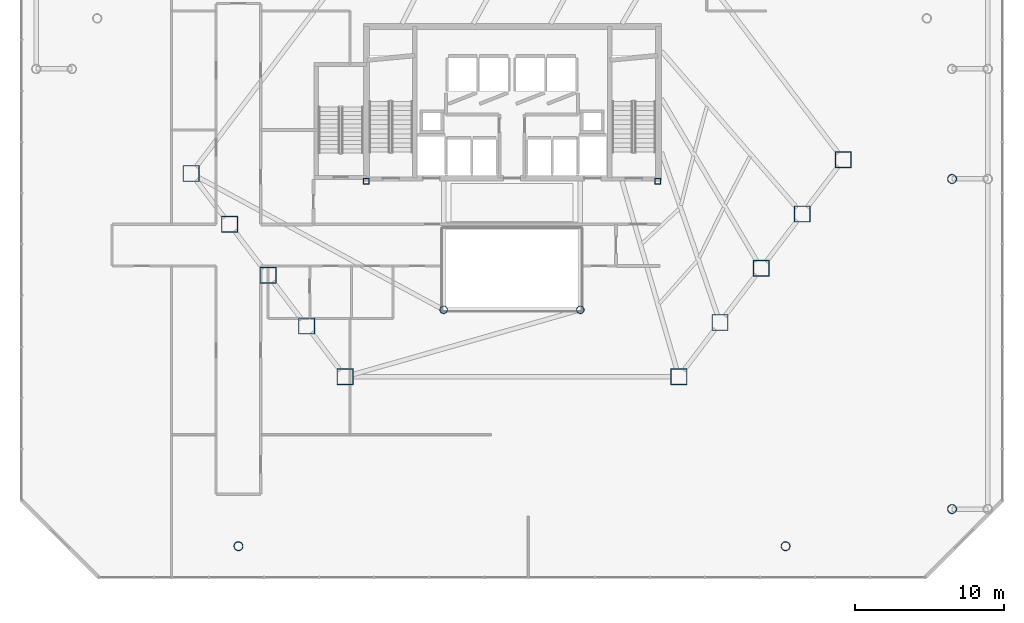
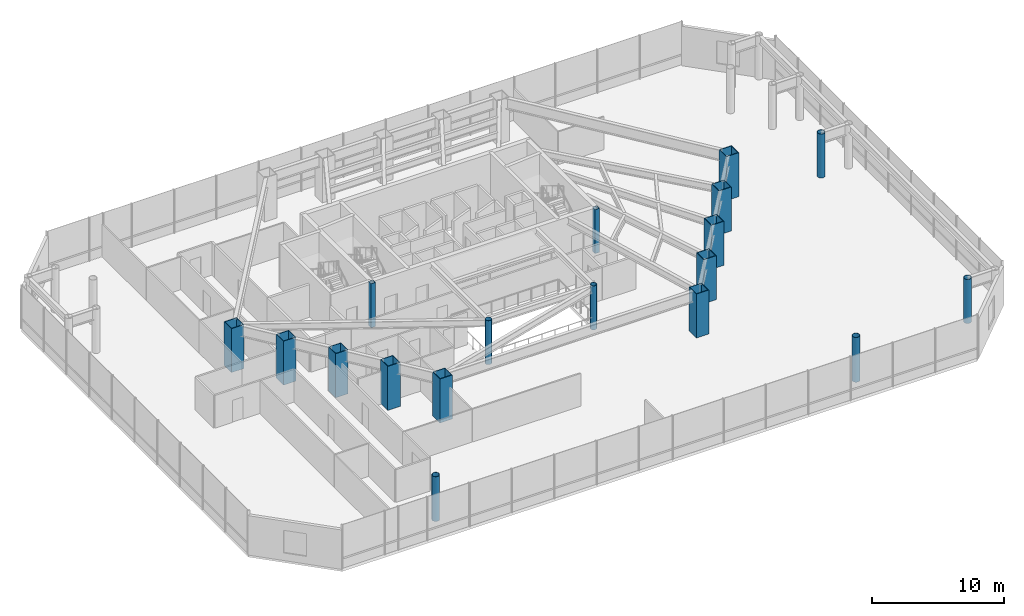
# One storey, part 1 of 33: 18 columns.
"""IFC4 building model written with IfcOpenShell, lengths in metres."""

from ifc_helpers import new_model, si_unit, direction, frame, origin, origin_2d, place, context, subcontext, project, spatial, hollow_rectangle, hollow_circle, extrude, material, material_profile, profile_set, type_object, element, save


model = new_model("IFC4")

# Units and contexts
model_context = context("Model", 3, precision=1e-05, world=origin(), true_north=direction((0.0, 1.0)))
body_context = subcontext(model_context, "Body", "Model", "MODEL_VIEW")
ifc_project = project(units=[si_unit("LENGTHUNIT", "METRE"), si_unit("AREAUNIT", "SQUARE_METRE"), si_unit("VOLUMEUNIT", "CUBIC_METRE"), si_unit("PLANEANGLEUNIT", "RADIAN"), si_unit("MASSUNIT", "GRAM", prefix="KILO")], contexts=[model_context])

# Site, building, storey
site_placement = place(None, origin())
site = spatial("IfcSite", under=ifc_project, at=site_placement, CompositionType="ELEMENT")
building_placement = place(site_placement, origin())
building = spatial("IfcBuilding", under=site, at=building_placement, Name="Zarrinselat Tower", CompositionType="ELEMENT")
storey_placement = place(building_placement, frame((0.0, 0.0, 18.360107421875)))
storey = spatial("IfcBuildingStorey", under=building, at=storey_placement, Name="L04", CompositionType="ELEMENT", Elevation=18.360107421875)

# Columns
ifc_material_1 = material(Name="Steel S355J2", Category="steel")
ifc_material_profile_1 = material_profile(ifc_material_1, hollow_circle(Radius=0.25390625, WallThickness=0.02001953125, at=origin_2d()), Name="CHS 508x20")
ifc_profile_set_1 = profile_set([ifc_material_profile_1], Name="Steel S355J2")
column_type_1 = type_object("IfcColumnType", Name="COL-CHS508", PredefinedType="COLUMN", material=ifc_profile_set_1)
for number, where, z_axis, x_axis, name in (
    (1, (33.800048828125, 24.39990234375, 0.0), (0.0, 0.0, 1.0), (1.0, 0.0, 0.0), "L04 Atrium Corner Column 1"),
    (2, (43.0, 24.39990234375, 0.0), (0.0, 0.0, 1.0), (1.0, 0.0, 0.0), "L04 Atrium Corner Column 2"),
):
    element("IfcColumn", number, at=place(storey_placement, frame(where, z_axis=z_axis, x_axis=x_axis)), inside=storey, type_object=column_type_1, Name=name, PredefinedType="COLUMN", context=body_context, shape_type="SweptSolid", body=[
        extrude(hollow_circle(Radius=0.25390625, WallThickness=0.02001953125, at=origin_2d()), origin(), (0.0, 0.0, 1.0), 4.06982421875),
    ])
ifc_material_2 = material(Name="Steel S355J2", Category="steel")
ifc_material_profile_2 = material_profile(ifc_material_2, hollow_circle(Radius=0.304931640625, WallThickness=0.02490234375, at=origin_2d()), Name="CHS 610x25")
ifc_profile_set_2 = profile_set([ifc_material_profile_2], Name="Steel S355J2")
column_type_2 = type_object("IfcColumnType", Name="COL-CHS610", PredefinedType="COLUMN", material=ifc_profile_set_2)
for number, where, z_axis, x_axis, name in (
    (3, (20.0, 8.5, 0.0), (0.0, 0.0, 1.0), (1.0, 0.0, 0.0), "L04 Garden Deck Support Column 1"),
    (4, (56.800048828125, 8.5, 0.0), (0.0, 0.0, 1.0), (1.0, 0.0, 0.0), "L04 Garden Deck Support Column 2"),
):
    element("IfcColumn", number, at=place(storey_placement, frame(where, z_axis=z_axis, x_axis=x_axis)), inside=storey, type_object=column_type_2, Name=name, PredefinedType="COLUMN", context=body_context, shape_type="SweptSolid", body=[
        extrude(hollow_circle(Radius=0.304931640625, WallThickness=0.02490234375, at=origin_2d()), origin(), (0.0, 0.0, 1.0), 4.139892578125),
    ])
for number, where, z_axis, x_axis, name in (
    (5, (68.0, 11.0, 0.0), (0.0, 0.0, 1.0), (1.0, 0.0, 0.0), "L04 Podium Anchor Column E-11"),
    (6, (68.0, 33.199951171875, 0.0), (0.0, 0.0, 1.0), (1.0, 0.0, 0.0), "L04 Podium Anchor Column E-33"),
):
    element("IfcColumn", number, at=place(storey_placement, frame(where, z_axis=z_axis, x_axis=x_axis)), inside=storey, type_object=column_type_2, Name=name, PredefinedType="COLUMN", context=body_context, shape_type="SweptSolid", body=[
        extrude(hollow_circle(Radius=0.304931640625, WallThickness=0.02490234375, at=origin_2d()), origin(), (0.0, 0.0, 1.0), 4.06982421875),
    ])
ifc_material_3 = material(Name="Steel S460M", Category="steel")
ifc_material_profile_3 = material_profile(ifc_material_3, hollow_rectangle(XDim=1.10009765625, YDim=1.10009765625, WallThickness=0.054931640625, at=origin_2d()), Name="SHS 1100x1100x55")
ifc_profile_set_3 = profile_set([ifc_material_profile_3], Name="Steel S460M")
column_type_3 = type_object("IfcColumnType", Name="COL-SHS1100", PredefinedType="COLUMN", material=ifc_profile_set_3)
for number, where, z_axis, x_axis, name in (
    (7, (16.8154296875, 33.568115234375, 0.0), (0.0, 0.0, 1.0), (1.0, 0.0, 0.0), "L04 Framed-Tube Column T06"),
    (8, (19.40478515625, 30.14990234375, 0.0), (0.0, 0.0, 1.0), (1.0, 0.0, 0.0), "L04 Framed-Tube Column T07"),
    (9, (21.994384765625, 26.73193359375, 0.0), (0.0, 0.0, 1.0), (1.0, 0.0, 0.0), "L04 Framed-Tube Column T08"),
    (10, (24.58349609375, 23.31396484375, 0.0), (0.0, 0.0, 1.0), (1.0, 0.0, 0.0), "L04 Framed-Tube Column T09"),
    (11, (27.173095703125, 19.89599609375, 0.0), (0.0, 0.0, 1.0), (1.0, 0.0, 0.0), "L04 Framed-Tube Column T10"),
    (12, (49.626953125, 19.89599609375, 0.0), (0.0, 0.0, 1.0), (1.0, 0.0, 0.0), "L04 Framed-Tube Column T11"),
    (13, (52.391357421875, 23.544921875, 0.0), (0.0, 0.0, 1.0), (1.0, 0.0, 0.0), "L04 Framed-Tube Column T12"),
    (14, (55.15576171875, 27.194091796875, 0.0), (0.0, 0.0, 1.0), (1.0, 0.0, 0.0), "L04 Framed-Tube Column T13"),
    (15, (57.920166015625, 30.843017578125, 0.0), (0.0, 0.0, 1.0), (1.0, 0.0, 0.0), "L04 Framed-Tube Column T14"),
    (16, (60.6845703125, 34.491943359375, 0.0), (0.0, 0.0, 1.0), (1.0, 0.0, 0.0), "L04 Framed-Tube Column T15"),
):
    element("IfcColumn", number, at=place(storey_placement, frame(where, z_axis=z_axis, x_axis=x_axis)), inside=storey, type_object=column_type_3, Name=name, PredefinedType="COLUMN", context=body_context, shape_type="SweptSolid", body=[
        extrude(hollow_rectangle(XDim=1.10009765625, YDim=1.10009765625, WallThickness=0.054931640625, at=origin_2d()), origin(), (0.0, 0.0, 1.0), 4.06982421875),
    ])
ifc_material_4 = material(Name="Steel S355J2", Category="steel")
ifc_material_profile_4 = material_profile(ifc_material_4, hollow_rectangle(XDim=0.39990234375, YDim=0.39990234375, WallThickness=0.02001953125, at=origin_2d()), Name="SHS 400x400x20")
ifc_profile_set_4 = profile_set([ifc_material_profile_4], Name="Steel S355J2")
column_type_4 = type_object("IfcColumnType", Name="COL-SHS400", PredefinedType="PILASTER", material=ifc_profile_set_4)
for number, where, z_axis, x_axis, name in (
    (17, (28.60009765625, 33.050048828125, 0.0), (0.0, 0.0, 1.0), (1.0, 0.0, 0.0), "L04 Gallery Structural Pilaster 1"),
    (18, (48.199951171875, 33.050048828125, 0.0), (0.0, 0.0, 1.0), (1.0, 0.0, 0.0), "L04 Gallery Structural Pilaster 2"),
):
    element("IfcColumn", number, at=place(storey_placement, frame(where, z_axis=z_axis, x_axis=x_axis)), inside=storey, type_object=column_type_4, Name=name, PredefinedType="PILASTER", context=body_context, shape_type="SweptSolid", body=[
        extrude(hollow_rectangle(XDim=0.39990234375, YDim=0.39990234375, WallThickness=0.02001953125, at=origin_2d()), origin(), (0.0, 0.0, 1.0), 4.06982421875),
    ])

save(model, "model.ifc")
